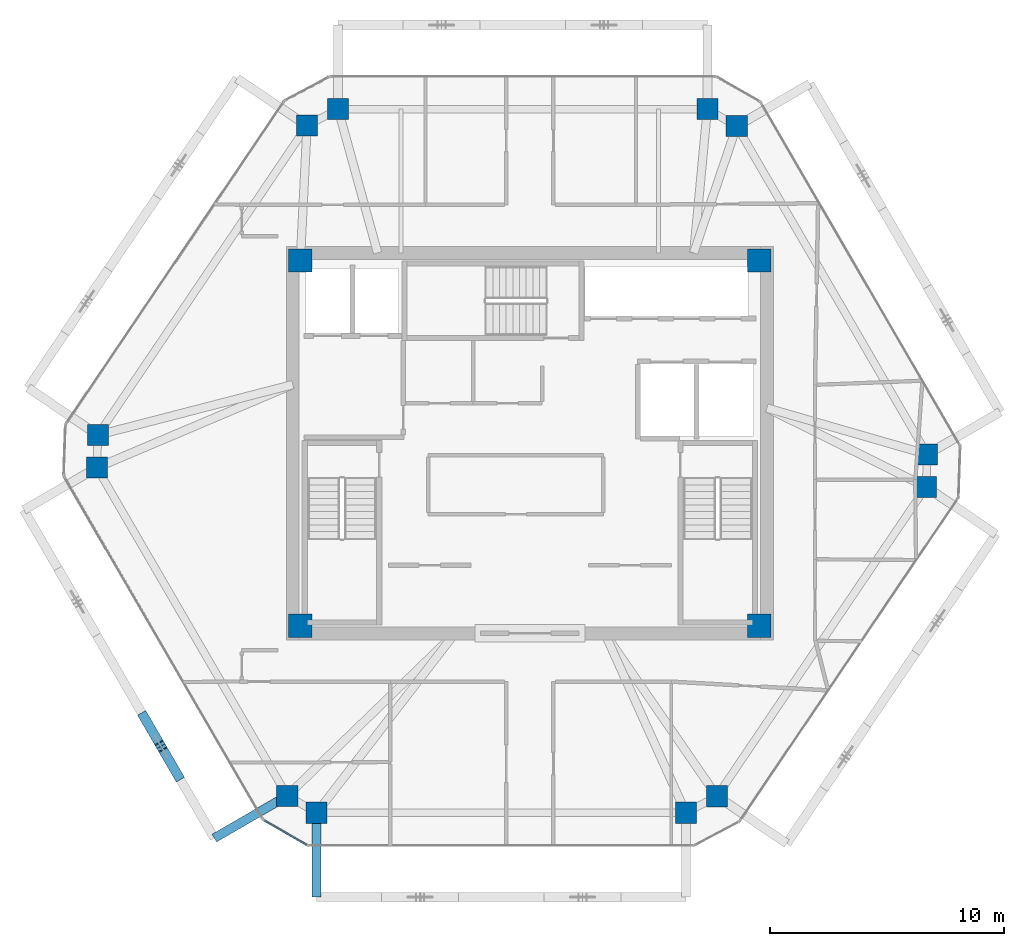
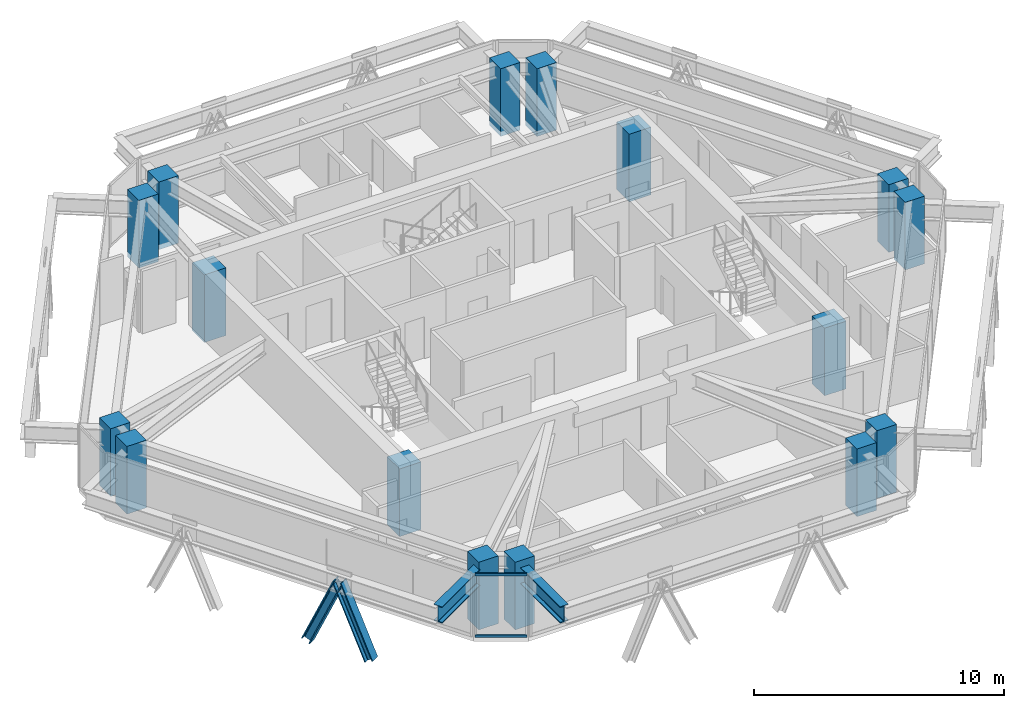
# One storey, part 1 of 13: 16 columns, 4 members, 2 beams, 1 element without a shape of its own.
"""IFC4 building model written with IfcOpenShell, lengths in metres."""

import ifcopenshell
import ifcopenshell.guid

model = None  # the IFC model being written
_history = None  # IfcOwnerHistory: only IFC2X3 demands one
_inside = {}  # id of a spatial element -> (the spatial element, [elements in it])
_under = {}  # id of a project, library or spatial element -> (it, [spatial elements below it])
_declared = {}  # id of a project -> (the project, [libraries it declares])
_typed = {}  # id of a type object -> (the type object, [elements of that type])
_made_of = {}  # id of a material, layer set ... -> (it, [elements and type objects made of it])


def new_model(schema):
    """Start an empty IFC model of exactly this schema.

    Asked for "IFC4X3", IfcOpenShell would pick the latest addendum, in which some entities
    have other attributes; the version numbers below select the first issue.
    IFC2X3 requires an IfcOwnerHistory on every rooted entity: one is made here for all.
    """
    global model, _history
    if schema == "IFC4X3":
        model = ifcopenshell.file(schema_version=(4, 3, 0, 0))
    else:
        model = ifcopenshell.file(schema=schema)
    _inside.clear()
    _under.clear()
    _declared.clear()
    _typed.clear()
    _made_of.clear()
    _history = None
    if model.schema == "IFC2X3":
        org = make("IfcOrganization", Name="unknown")
        user = make(
            "IfcPersonAndOrganization",
            ThePerson=make("IfcPerson", FamilyName="unknown"),
            TheOrganization=org,
        )
        app = make(
            "IfcApplication",
            ApplicationDeveloper=org,
            Version="unknown",
            ApplicationFullName="unknown",
            ApplicationIdentifier="unknown",
        )
        _history = make(
            "IfcOwnerHistory",
            OwningUser=user,
            OwningApplication=app,
            ChangeAction="ADDED",
            CreationDate=0,
        )
    return model


def make(cls, **values):
    """One entity of the class cls with the attributes given. An attribute that is None is left unset."""
    return model.create_entity(
        cls, **{name: value for name, value in values.items() if value is not None}
    )


def rooted(cls, **values):
    """An entity with a GlobalId (a new one), such as an element, a storey or a relation."""
    return make(cls, GlobalId=ifcopenshell.guid.new(), OwnerHistory=_history, **values)


def si_unit(unit_type, name, prefix=None):
    """IfcSIUnit, for example si_unit("LENGTHUNIT", "METRE", prefix="MILLI")."""
    return make("IfcSIUnit", UnitType=unit_type, Prefix=prefix, Name=name)


def assignment(units):
    """IfcUnitAssignment: the units of a project."""
    return None if units is None else make("IfcUnitAssignment", Units=units)


def point(xyz):
    """IfcCartesianPoint."""
    return None if xyz is None else make("IfcCartesianPoint", Coordinates=xyz)


def direction(xyz):
    """IfcDirection."""
    return None if xyz is None else make("IfcDirection", DirectionRatios=xyz)


def frame(location, z_axis=None, x_axis=None):
    """IfcAxis2Placement3D, a coordinate frame: its origin and axes. An axis left out is left unset."""
    return make(
        "IfcAxis2Placement3D",
        Location=point(location),
        Axis=direction(z_axis),
        RefDirection=direction(x_axis),
    )


def frame_2d(location, x_axis=None):
    """IfcAxis2Placement2D, a coordinate frame in the plane: its origin and x axis."""
    return make(
        "IfcAxis2Placement2D", Location=point(location), RefDirection=direction(x_axis)
    )


def origin():
    """The frame at (0, 0, 0) with its axes left unset."""
    return frame((0.0, 0.0, 0.0))


def origin_2d():
    """The frame at (0, 0) in the plane with its x axis left unset."""
    return frame_2d((0.0, 0.0))


def place(relative_to, where):
    """IfcLocalPlacement: puts the frame where relative to a parent placement (None: the world)."""
    return make(
        "IfcLocalPlacement", PlacementRelTo=relative_to, RelativePlacement=where
    )


def context(
    kind, dimensions, precision=None, world=None, true_north=None, identifier=None
):
    """IfcGeometricRepresentationContext, for example the 3D "Model" context."""
    return make(
        "IfcGeometricRepresentationContext",
        ContextIdentifier=identifier,
        ContextType=kind,
        CoordinateSpaceDimension=dimensions,
        Precision=precision,
        WorldCoordinateSystem=world,
        TrueNorth=true_north,
    )


def subcontext(parent, identifier, kind, view, scale=None):
    """IfcGeometricRepresentationSubContext, for example "Body" below "Model"."""
    return make(
        "IfcGeometricRepresentationSubContext",
        ContextIdentifier=identifier,
        ContextType=kind,
        ParentContext=parent,
        TargetScale=scale,
        TargetView=view,
    )


def project(units=None, contexts=None):
    """IfcProject with its units and contexts."""
    return rooted(
        "IfcProject",
        Name="project",
        RepresentationContexts=contexts,
        UnitsInContext=assignment(units),
    )


def spatial(cls, under=None, at=None, **own):
    """A site, building, storey or space (cls), placed at a placement, below another one or the project."""
    s = rooted(cls, ObjectPlacement=at, **own)
    if under is not None:
        _under.setdefault(under.id(), (under, []))[1].append(s)
    return s


def profile(cls, at=None, kind="AREA", **sizes):
    """A parametric profile (cls). Its sizes go by their IFC names, for example OverallWidth=200.0."""
    return make(cls, ProfileType=kind, Position=at, **sizes)


def rectangle(**sizes):
    """IfcRectangleProfileDef."""
    return profile("IfcRectangleProfileDef", **sizes)


def i_section(**sizes):
    """IfcIShapeProfileDef."""
    return profile("IfcIShapeProfileDef", **sizes)


def extrude(swept, where, along, depth):
    """IfcExtrudedAreaSolid: the profile swept, set in the frame where, extruded along a direction by depth."""
    return make(
        "IfcExtrudedAreaSolid",
        SweptArea=swept,
        Position=where,
        ExtrudedDirection=direction(along),
        Depth=depth,
    )


def shape(context_of_items, identifier, shape_type, items):
    """IfcShapeRepresentation: the items that make up one representation, for example the "Body"."""
    return make(
        "IfcShapeRepresentation",
        ContextOfItems=context_of_items,
        RepresentationIdentifier=identifier,
        RepresentationType=shape_type,
        Items=items,
    )


def source(mapping_origin, context_of_items, identifier, shape_type, items):
    """IfcRepresentationMap: a shape defined once, which mapped items show again and again."""
    return make(
        "IfcRepresentationMap",
        MappingOrigin=mapping_origin,
        MappedRepresentation=shape(context_of_items, identifier, shape_type, items),
    )


def transform(
    local_origin,
    x_axis=None,
    y_axis=None,
    z_axis=None,
    scale=None,
    scale2=None,
    scale3=None,
    uniform=True,
):
    """IfcCartesianTransformationOperator3D, or its non-uniform kind. x_axis, y_axis, z_axis: its Axis1, 2, 3."""
    if uniform:
        return make(
            "IfcCartesianTransformationOperator3D",
            Axis1=direction(x_axis),
            Axis2=direction(y_axis),
            LocalOrigin=point(local_origin),
            Scale=scale,
            Axis3=direction(z_axis),
        )
    return make(
        "IfcCartesianTransformationOperator3DnonUniform",
        Axis1=direction(x_axis),
        Axis2=direction(y_axis),
        LocalOrigin=point(local_origin),
        Scale=scale,
        Axis3=direction(z_axis),
        Scale2=scale2,
        Scale3=scale3,
    )


def mapped(mapping_source, mapping_target):
    """IfcMappedItem: shows the shape of a source again, moved by a transform."""
    return make(
        "IfcMappedItem", MappingSource=mapping_source, MappingTarget=mapping_target
    )


def material(Name=None, Category=None):
    """IfcMaterial."""
    return make("IfcMaterial", Name=Name, Category=Category)


def layer(
    of_material, thickness, ventilated=None, Name=None, Category=None, Priority=None
):
    """IfcMaterialLayer: one layer of a wall or slab, of a material (None: an air gap)."""
    return make(
        "IfcMaterialLayer",
        Material=of_material,
        LayerThickness=thickness,
        IsVentilated=ventilated,
        Name=Name,
        Category=Category,
        Priority=Priority,
    )


def layer_set(layers, Name=None):
    """IfcMaterialLayerSet."""
    return make("IfcMaterialLayerSet", MaterialLayers=layers, LayerSetName=Name)


def material_profile(
    of_material, cross_section, Name=None, Category=None, Priority=None
):
    """IfcMaterialProfile: a cross section and its material."""
    return make(
        "IfcMaterialProfile",
        Name=Name,
        Material=of_material,
        Profile=cross_section,
        Priority=Priority,
        Category=Category,
    )


def profile_set(profiles, Name=None, composite=None):
    """IfcMaterialProfileSet."""
    return make(
        "IfcMaterialProfileSet",
        Name=Name,
        MaterialProfiles=profiles,
        CompositeProfile=composite,
    )


def made_of(thing, what):
    """Note that an element or type object is made of a material, layer set ...; save() writes the relation."""
    if what is not None:
        _made_of.setdefault(what.id(), (what, []))[1].append(thing)
    return thing


def type_object(cls, material=None, **own):
    """A type object (cls), such as IfcWallType, which elements share."""
    return made_of(rooted(cls, **own), material)


def type_shapes(of_type, sources):
    """Give a type object the sources (RepresentationMaps) that its elements show as mapped items."""
    of_type.RepresentationMaps = sources


def element(
    cls,
    number,
    at=None,
    inside=None,
    cuts=None,
    type_object=None,
    material=None,
    context=None,
    identifier="Body",
    shape_type=None,
    held_by="IfcProductDefinitionShape",
    body=None,
    shapes=None,
    **own,
):
    """One element of the class cls, such as IfcWall. Its Tag is "e" and its number.

    at: its placement. inside: the storey or other place that contains it. cuts: it is an
    opening in that element (IfcRelVoidsElement). A single representation is given by context,
    identifier, shape_type and body (its items); several are given by shapes. held_by: the class
    of the entity that holds the representations. save() writes the other relations.
    """
    e = rooted(cls, Tag="e%d" % number, ObjectPlacement=at, **own)
    if body is not None:
        shapes = [shape(context, identifier, shape_type, body)]
    if shapes is not None:
        e.Representation = make(held_by, Representations=shapes)
    if inside is not None:
        _inside.setdefault(inside.id(), (inside, []))[1].append(e)
    if cuts is not None:
        rooted(
            "IfcRelVoidsElement", RelatingBuildingElement=cuts, RelatedOpeningElement=e
        )
    if type_object is not None:
        _typed.setdefault(type_object.id(), (type_object, []))[1].append(e)
    return made_of(e, material)


def aggregate(whole, parts):
    """IfcRelAggregates: a whole, such as a stair, and the parts it consists of."""
    return rooted("IfcRelAggregates", RelatingObject=whole, RelatedObjects=parts)


def save(model, path):
    """Write the relations noted so far, then the file.

    IfcRelAggregates (storeys below a building ...), IfcRelContainedInSpatialStructure (elements
    in a storey), IfcRelDefinesByType, IfcRelAssociatesMaterial and IfcRelDeclares: one each for
    every whole, place, type object, material and project.
    """
    for whole, parts in _under.values():
        aggregate(whole, parts)
    for where, things in _inside.values():
        rooted(
            "IfcRelContainedInSpatialStructure",
            RelatedElements=things,
            RelatingStructure=where,
        )
    for kind, things in _typed.values():
        rooted("IfcRelDefinesByType", RelatedObjects=things, RelatingType=kind)
    for what, things in _made_of.values():
        rooted("IfcRelAssociatesMaterial", RelatedObjects=things, RelatingMaterial=what)
    for by, libraries in _declared.values():
        rooted("IfcRelDeclares", RelatingContext=by, RelatedDefinitions=libraries)
    model.write(path)


model = new_model("IFC4")

# Units and contexts
model_context = context("Model", 3, precision=1e-05, world=origin(), true_north=direction((0.0, 1.0)))
body_context = subcontext(model_context, "Body", "Model", "MODEL_VIEW")
ifc_project = project(units=[si_unit("LENGTHUNIT", "METRE"), si_unit("AREAUNIT", "SQUARE_METRE"), si_unit("VOLUMEUNIT", "CUBIC_METRE"), si_unit("PLANEANGLEUNIT", "RADIAN"), si_unit("MASSUNIT", "GRAM", prefix="KILO")], contexts=[model_context])

# Site, building, storey
site_placement = place(None, origin())
site = spatial("IfcSite", under=ifc_project, at=site_placement, CompositionType="ELEMENT")
building_placement = place(site_placement, origin())
building = spatial("IfcBuilding", under=site, at=building_placement, Name="Durnholm Broadcast Tower", CompositionType="ELEMENT")
storey_placement = place(building_placement, frame((0.0, 0.0, 241.39990234375)))
storey = spatial("IfcBuildingStorey", under=building, at=storey_placement, Name="L67", CompositionType="ELEMENT", Elevation=241.39990234375)

# Columns
ifc_material_1 = material(Name="Concrete C70/85", Category="concrete")
ifc_material_profile_1 = material_profile(ifc_material_1, rectangle(XDim=1.0, YDim=1.0, at=origin_2d()), Name="RC1000X1000")
ifc_profile_set_1 = profile_set([ifc_material_profile_1], Name="Concrete C70/85")
column_type_1 = type_object("IfcColumnType", Name="COL-CC-1000", PredefinedType="COLUMN", material=ifc_profile_set_1)
shared_shape_1 = source(origin(), body_context, "Body", "SweptSolid", [
    extrude(rectangle(XDim=1.0, YDim=1.0, at=origin_2d()), origin(), (0.0, 0.0, 1.0), 3.300048828125),
])
type_shapes(column_type_1, [shared_shape_1])
for number, where, z_axis, x_axis, name in (
    (1, (-9.800048828125, -7.800048828125, -0.239990234375), (0.0, 0.0, 1.0), (1.0, 0.0, 0.0), "L67 core corner column 1"),
    (2, (9.800048828125, -7.800048828125, -0.239990234375), (0.0, 0.0, 1.0), (1.0, 0.0, 0.0), "L67 core corner column 2"),
    (3, (9.800048828125, 7.800048828125, -0.239990234375), (0.0, 0.0, 1.0), (1.0, 0.0, 0.0), "L67 core corner column 3"),
    (4, (-9.800048828125, 7.800048828125, -0.239990234375), (0.0, 0.0, 1.0), (1.0, 0.0, 0.0), "L67 core corner column 4"),
):
    element("IfcColumn", number, at=place(storey_placement, frame(where, z_axis=z_axis, x_axis=x_axis)), inside=storey, type_object=column_type_1, Name=name, PredefinedType="COLUMN", context=body_context, shape_type="MappedRepresentation", body=[
        mapped(shared_shape_1, transform((0.0, 0.0, 0.0), x_axis=(1.0, 0.0, 0.0), y_axis=(0.0, 1.0, 0.0), z_axis=(0.0, 0.0, 1.0), scale=1.0)),
    ])
ifc_material_profile_2 = material_profile(ifc_material_1, rectangle(XDim=0.89990234375, YDim=0.89990234375, at=origin_2d()), Name="RC900X900")
ifc_profile_set_2 = profile_set([ifc_material_profile_2], Name="Concrete C70/85")
column_type_2 = type_object("IfcColumnType", Name="COL-CC-900", PredefinedType="COLUMN", material=ifc_profile_set_2)
shared_shape_2 = source(origin(), body_context, "Body", "SweptSolid", [
    extrude(rectangle(XDim=0.89990234375, YDim=0.89990234375, at=origin_2d()), origin(), (0.0, 0.0, 1.0), 3.300048828125),
])
type_shapes(column_type_2, [shared_shape_2])
for number, where, z_axis, x_axis, name in (
    (5, (-10.361328125, -15.061767578125, -0.239990234375), (0.0, 0.0, 1.0), (1.0, 0.0, 0.0), "L67 perimeter hexagonal tube column 01"),
    (6, (-18.494384765625, -1.0478515625, -0.239990234375), (0.0, 0.0, 1.0), (1.0, 0.0, 0.0), "L67 perimeter hexagonal tube column 02"),
    (7, (-18.4462890625, 0.345947265625, -0.239990234375), (0.0, 0.0, 1.0), (1.0, 0.0, 0.0), "L67 perimeter hexagonal tube column 03"),
    (8, (-9.514892578125, 13.557373046875, -0.239990234375), (0.0, 0.0, 1.0), (1.0, 0.0, 0.0), "L67 perimeter hexagonal tube column 04"),
    (9, (-8.187744140625, 14.261962890625, -0.239990234375), (0.0, 0.0, 1.0), (1.0, 0.0, 0.0), "L67 perimeter hexagonal tube column 05"),
    (10, (7.57958984375, 14.261962890625, -0.239990234375), (0.0, 0.0, 1.0), (1.0, 0.0, 0.0), "L67 perimeter hexagonal tube column 06"),
    (11, (8.83740234375, 13.53759765625, -0.239990234375), (0.0, 0.0, 1.0), (1.0, 0.0, 0.0), "L67 perimeter hexagonal tube column 07"),
    (12, (16.97021484375, -0.47607421875, -0.239990234375), (0.0, 0.0, 1.0), (1.0, 0.0, 0.0), "L67 perimeter hexagonal tube column 08"),
    (13, (16.92236328125, -1.869873046875, -0.239990234375), (0.0, 0.0, 1.0), (1.0, 0.0, 0.0), "L67 perimeter hexagonal tube column 09"),
    (14, (7.990966796875, -15.081298828125, -0.239990234375), (0.0, 0.0, 1.0), (1.0, 0.0, 0.0), "L67 perimeter hexagonal tube column 10"),
    (15, (6.663818359375, -15.785888671875, -0.239990234375), (0.0, 0.0, 1.0), (1.0, 0.0, 0.0), "L67 perimeter hexagonal tube column 11"),
    (16, (-9.103759765625, -15.785888671875, -0.239990234375), (0.0, 0.0, 1.0), (1.0, 0.0, 0.0), "L67 perimeter hexagonal tube column 12"),
):
    element("IfcColumn", number, at=place(storey_placement, frame(where, z_axis=z_axis, x_axis=x_axis)), inside=storey, type_object=column_type_2, Name=name, PredefinedType="COLUMN", context=body_context, shape_type="MappedRepresentation", body=[
        mapped(shared_shape_2, transform((0.0, 0.0, 0.0), x_axis=(1.0, 0.0, 0.0), y_axis=(0.0, 1.0, 0.0), z_axis=(0.0, 0.0, 1.0), scale=1.0)),
    ])

# Beams
ifc_material_2 = material(Name="Steel ASTM A992 Grade 50", Category="steel")
ifc_material_profile_3 = material_profile(ifc_material_2, i_section(OverallWidth=0.385009765625, OverallDepth=0.802978515625, WebThickness=0.023681640625, FlangeThickness=0.0419921875, FilletRadius=0.032958984375, at=origin_2d()), Name="W30X261")
ifc_profile_set_3 = profile_set([ifc_material_profile_3], Name="Steel ASTM A992 Grade 50")
beam_type = type_object("IfcBeamType", Name="BM-EXO-TIE", PredefinedType="USERDEFINED", material=ifc_profile_set_3)
shared_shape_3 = source(origin(), body_context, "Body", "SweptSolid", [
    extrude(i_section(OverallWidth=0.385009765625, OverallDepth=0.802978515625, WebThickness=0.023681640625, FlangeThickness=0.0419921875, FilletRadius=0.032958984375, at=origin_2d()), origin(), (0.0, 0.0, 1.0), 3.4560546875),
])
type_shapes(beam_type, [shared_shape_3])
for number, where, z_axis, x_axis, name in (
    (17, (-9.103759765625, -15.929931640625, 2.30859375), (0.0, -1.0, 0.0), (1.0, 0.0, 0.0), "L67 exoskeleton stand-off tie bracket F1.1"),
    (18, (-10.48583984375, -15.134033203125, 2.30859375), (-0.864924479231, -0.501902027518, 0.0), (0.501902027518, -0.864924479231, 0.0), "L67 exoskeleton stand-off tie bracket F6.2"),
):
    element("IfcBeam", number, at=place(storey_placement, frame(where, z_axis=z_axis, x_axis=x_axis)), inside=storey, type_object=beam_type, Name=name, ObjectType="GIRDER", PredefinedType="USERDEFINED", context=body_context, shape_type="MappedRepresentation", body=[
        mapped(shared_shape_3, transform((0.0, 0.0, 0.0), x_axis=(1.0, 0.0, 0.0), y_axis=(0.0, 1.0, 0.0), z_axis=(0.0, 0.0, 1.0), scale=1.0)),
    ])

# Members
ifc_material_3 = material(Name="Steel ASTM A913 Grade 65", Category="steel")
ifc_material_profile_4 = material_profile(ifc_material_3, i_section(OverallWidth=0.40625, OverallDepth=0.416015625, WebThickness=0.02978515625, FlangeThickness=0.048095703125, FilletRadius=0.030517578125, at=origin_2d()), Name="W14X257")
ifc_profile_set_4 = profile_set([ifc_material_profile_4], Name="Steel ASTM A913 Grade 65")
member_type_1 = type_object("IfcMemberType", Name="STL-DG-W14X257", PredefinedType="BRACE", material=ifc_profile_set_4)
shared_shape_4 = source(origin(), body_context, "Body", "SweptSolid", [
    extrude(i_section(OverallWidth=0.40625, OverallDepth=0.416015625, WebThickness=0.02978515625, FlangeThickness=0.048095703125, FilletRadius=0.030517578125, at=origin_2d()), origin(), (0.0, 0.0, 1.0), 3.60791015625),
])
type_shapes(member_type_1, [shared_shape_4])
for number, where, z_axis, x_axis, name in (
    (19, (-16.484130859375, -11.68359375, -0.991455078125), (0.202871189729, -0.349577240207, 0.914679743685), (0.864906184135, 0.501933554014, 0.0), "L67 stand-off diagrid brace F6.D2.1"),
    (20, (-15.020263671875, -14.2060546875, -0.991455078125), (-0.202871189729, 0.349577240207, 0.914679743685), (-0.864906184135, -0.501933554014, 0.0), "L67 stand-off diagrid brace F6.D2.2"),
):
    element("IfcMember", number, at=place(storey_placement, frame(where, z_axis=z_axis, x_axis=x_axis)), inside=storey, type_object=member_type_1, Name=name, PredefinedType="BRACE", context=body_context, shape_type="MappedRepresentation", body=[
        mapped(shared_shape_4, transform((0.0, 0.0, 0.0), x_axis=(1.0, 0.0, 0.0), y_axis=(0.0, 1.0, 0.0), z_axis=(0.0, 0.0, 1.0), scale=1.0)),
    ])

# Curtain wall, members
ifc_material_4 = material(Name="Aluminium and Solar Control IGU", Category="aluminium")
ifc_layer = layer(ifc_material_4, 0.1650390625)
ifc_layer_set = layer_set([ifc_layer], Name="Aluminium and Solar Control IGU")
curtain_wall_type = type_object("IfcCurtainWallType", Name="CW-SYS-5", PredefinedType="NOTDEFINED", material=ifc_layer_set)
curtain_wall_placement = place(storey_placement, origin())
curtain_wall = element("IfcCurtainWall", 21, at=curtain_wall_placement, inside=storey, type_object=curtain_wall_type, Name="L67 curtain wall CW-CORNER CW-L67-CRN-11", PredefinedType="NOTDEFINED")
ifc_material_5 = material(Name="Aluminium 6063-T6", Category="aluminium")
ifc_material_profile_5 = material_profile(ifc_material_5, rectangle(XDim=0.06494140625, YDim=0.1298828125, at=origin_2d()), Name="CWT65X130")
ifc_profile_set_5 = profile_set([ifc_material_profile_5], Name="Aluminium 6063-T6")
member_type_2 = type_object("IfcMemberType", Name="CW-SYS-5-TRN", PredefinedType="USERDEFINED", material=ifc_profile_set_5)
shared_shape_5 = source(origin(), body_context, "Body", "SweptSolid", [
    extrude(rectangle(XDim=0.06494140625, YDim=0.1298828125, at=origin_2d()), origin(), (0.0, 0.0, 1.0), 2.06982421875),
])
type_shapes(member_type_2, [shared_shape_5])
member_1_placement = place(storey_placement, frame((-9.534423828125, -17.153564453125, 0.03271484375), z_axis=(-0.866576086718, 0.499044973854, 0.0), x_axis=(-0.499044973854, -0.866576086718, 0.0)))
member_1 = element("IfcMember", 22, at=member_1_placement, type_object=member_type_2, Name="CW-CORNER transom 1.1", ObjectType="TRANSOM", PredefinedType="USERDEFINED", context=body_context, shape_type="MappedRepresentation", body=[
    mapped(shared_shape_5, transform((0.0, 0.0, 0.0), x_axis=(1.0, 0.0, 0.0), y_axis=(0.0, 1.0, 0.0), z_axis=(0.0, 0.0, 1.0), scale=1.0)),
])
member_2_placement = place(storey_placement, frame((-9.534423828125, -17.153564453125, 3.027587890625), z_axis=(-0.866576086718, 0.499044973854, 0.0), x_axis=(-0.499044973854, -0.866576086718, 0.0)))
member_2 = element("IfcMember", 23, at=member_2_placement, type_object=member_type_2, Name="CW-CORNER transom 1.2", ObjectType="TRANSOM", PredefinedType="USERDEFINED", context=body_context, shape_type="MappedRepresentation", body=[
    mapped(shared_shape_5, transform((0.0, 0.0, 0.0), x_axis=(1.0, 0.0, 0.0), y_axis=(0.0, 1.0, 0.0), z_axis=(0.0, 0.0, 1.0), scale=1.0)),
])
aggregate(curtain_wall, [member_1, member_2])

save(model, "model.ifc")
